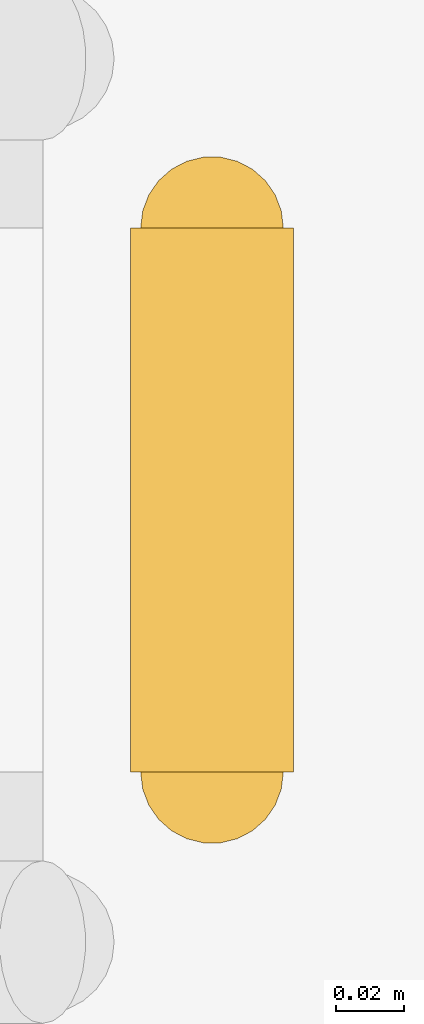
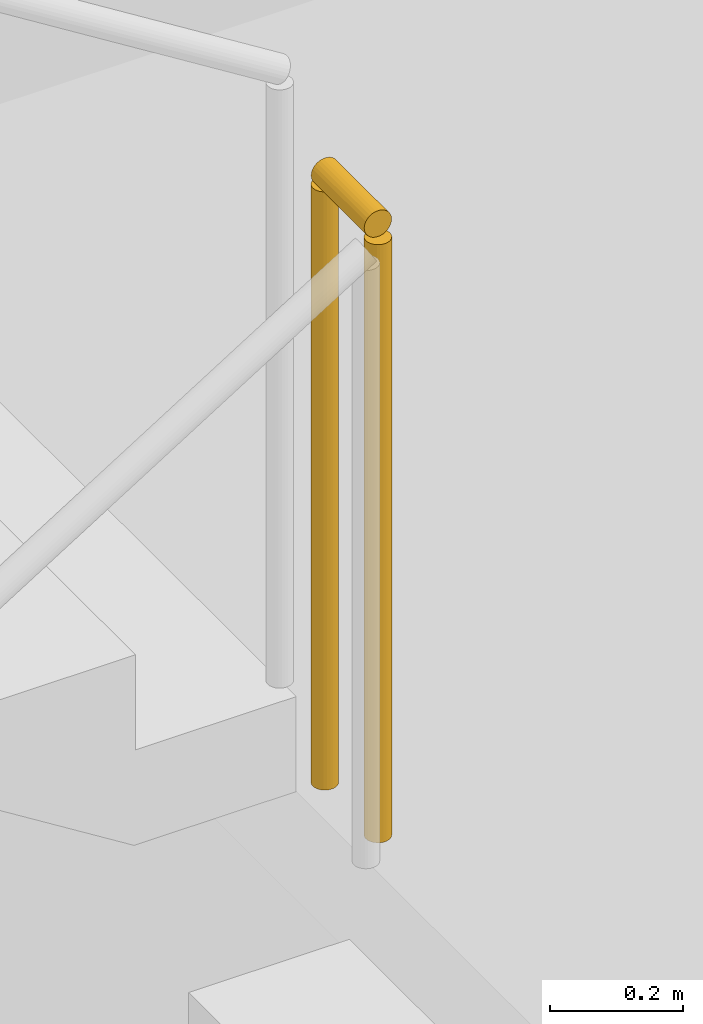
# One storey, part 15 of 16: 1 railing.
"""IFC4 building model written with IfcOpenShell, lengths in metres."""

from ifc_helpers import new_model, si_unit, direction, frame, origin, origin_2d, place, context, subcontext, project, spatial, circle, extrude, material, type_object, element, save


model = new_model("IFC4")

# Units and contexts
model_context = context("Model", 3, precision=1e-05, world=origin(), true_north=direction((0.0, 1.0)))
body_context = subcontext(model_context, "Body", "Model", "MODEL_VIEW")
ifc_project = project(units=[si_unit("LENGTHUNIT", "METRE"), si_unit("AREAUNIT", "SQUARE_METRE"), si_unit("VOLUMEUNIT", "CUBIC_METRE"), si_unit("PLANEANGLEUNIT", "RADIAN"), si_unit("MASSUNIT", "GRAM", prefix="KILO")], contexts=[model_context])

# Site, building, storey
site_placement = place(None, origin())
site = spatial("IfcSite", under=ifc_project, at=site_placement, CompositionType="ELEMENT")
building_placement = place(site_placement, origin())
building = spatial("IfcBuilding", under=site, at=building_placement, Name="Kolveth Station Tower", CompositionType="ELEMENT")
storey_placement = place(building_placement, frame((0.0, 0.0, -8.39990234375)))
storey = spatial("IfcBuildingStorey", under=building, at=storey_placement, Name="B2", CompositionType="ELEMENT", Elevation=-8.39990234375)

# Railing
ifc_material = material(Name="Painted Steel S355 balustrade", Category="steel")
railing_type = type_object("IfcRailingType", Name="Guard_GR2", PredefinedType="BALUSTRADE", material=ifc_material)
railing_placement = place(storey_placement, frame((60.8798828125, 37.199951171875, 2.099853515625)))
element("IfcRailing", 1, at=railing_placement, inside=storey, type_object=railing_type, Name="B2 ST3 stair guard 2", PredefinedType="BALUSTRADE", context=body_context, shape_type="SweptSolid", body=[
    extrude(circle(Radius=0.02392578125, at=origin_2d()), frame((0.0, 0.0, 1.1259765625), z_axis=(0.0, 1.0, 0.0), x_axis=(-1.0, 0.0, 0.0)), (0.0, 0.0, 1.0), 0.16015625),
    extrude(circle(Radius=0.02099609375, at=origin_2d()), origin(), (0.0, 0.0, 1.0), 1.101806640625),
    extrude(circle(Radius=0.02099609375, at=origin_2d()), frame((0.0, 0.16015625, 0.0)), (0.0, 0.0, 1.0), 1.101806640625),
])

save(model, "model.ifc")
